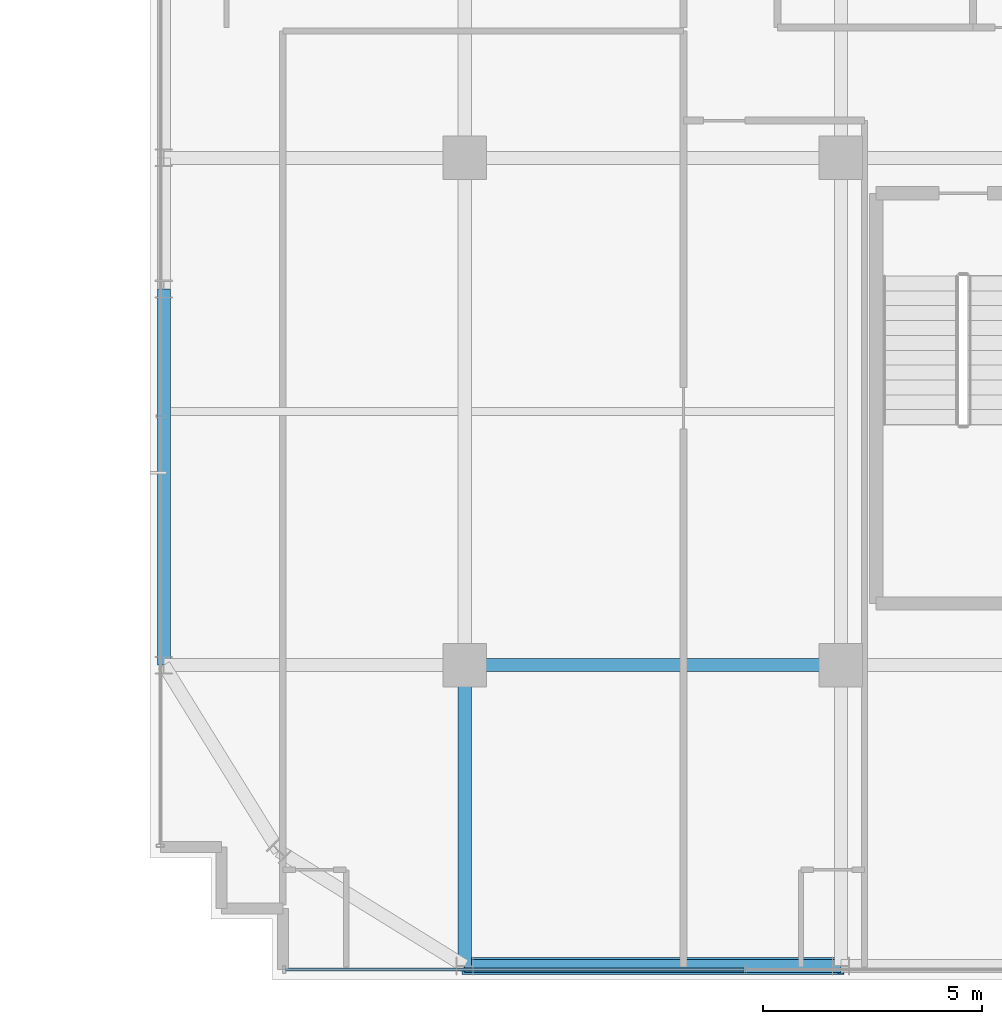
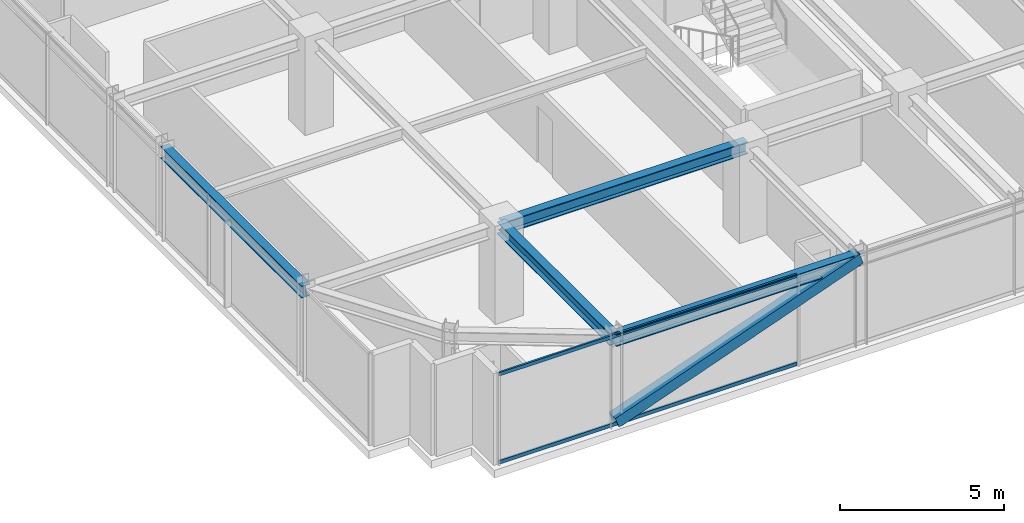
# One storey, part 5 of 36: 4 beams, 3 members, 1 element without a shape of its own.
"""IFC4 building model written with IfcOpenShell, lengths in metres."""

from ifc_helpers import new_model, si_unit, direction, frame, origin, origin_2d, place, context, subcontext, project, spatial, hollow_rectangle, i_section, extrude, source, transform, mapped, material, material_profile, profile_set, type_object, element, aggregate, save


model = new_model("IFC4")

# Units and contexts
model_context = context("Model", 3, precision=1e-05, world=origin(), true_north=direction((0.0, 1.0)))
body_context = subcontext(model_context, "Body", "Model", "MODEL_VIEW")
ifc_project = project(units=[si_unit("LENGTHUNIT", "METRE"), si_unit("AREAUNIT", "SQUARE_METRE"), si_unit("VOLUMEUNIT", "CUBIC_METRE"), si_unit("PLANEANGLEUNIT", "RADIAN"), si_unit("MASSUNIT", "GRAM", prefix="KILO")], contexts=[model_context])

# Site, building, storey
site_placement = place(None, origin())
site = spatial("IfcSite", under=ifc_project, at=site_placement, CompositionType="ELEMENT")
building_placement = place(site_placement, origin())
building = spatial("IfcBuilding", under=site, at=building_placement, Name="Nahalor Promenade Grand Hotel", CompositionType="ELEMENT")
storey_placement = place(building_placement, frame((0.0, 0.0, 241.89990234375)))
storey = spatial("IfcBuildingStorey", under=building, at=storey_placement, Name="L62", CompositionType="ELEMENT", Elevation=241.89990234375)

# Beams
ifc_material_1 = material(Name="Steel S355JR", Category="steel")
ifc_material_profile_1 = material_profile(ifc_material_1, i_section(OverallWidth=0.3, OverallDepth=0.45, WebThickness=0.014, FlangeThickness=0.026, at=origin_2d()), Name="HEB 450")
ifc_profile_set_1 = profile_set([ifc_material_profile_1], Name="Steel S355JR")
beam_type_1 = type_object("IfcBeamType", Name="Beam-Spandrel-HEB450", PredefinedType="SPANDREL", material=ifc_profile_set_1)
shared_shape_1 = source(origin(), body_context, "Body", "SweptSolid", [
    extrude(i_section(OverallWidth=0.3, OverallDepth=0.45, WebThickness=0.014, FlangeThickness=0.026, at=origin_2d()), origin(), (0.0, 0.0, 1.0), 8.60009765625),
])
for number, where, z_axis, x_axis, name in (
    (1, (-17.0, -23.8798828125, 3.18505859375), (1.0, 0.0, 0.0), (0.0, 1.0, 0.0), "BM-L62-SP-S-0"),
    (2, (-23.8798828125, -17.0, 3.18505859375), (0.0, 1.0, 0.0), (-1.0, 0.0, 0.0), "BM-L62-SP-W-0"),
):
    element("IfcBeam", number, at=place(storey_placement, frame(where, z_axis=z_axis, x_axis=x_axis)), inside=storey, type_object=beam_type_1, Name=name, PredefinedType="SPANDREL", context=body_context, shape_type="MappedRepresentation", body=[
        mapped(shared_shape_1, transform((0.0, 0.0, 0.0), scale=1.0)),
    ])
ifc_material_profile_2 = material_profile(ifc_material_1, i_section(OverallWidth=0.3, OverallDepth=0.45, WebThickness=0.014, FlangeThickness=0.026, at=origin_2d()), Name="HEB 450")
ifc_profile_set_2 = profile_set([ifc_material_profile_2], Name="Steel S355JR")
beam_type_2 = type_object("IfcBeamType", Name="Beam-Girder-HEB450", PredefinedType="BEAM", material=ifc_profile_set_2)
shared_shape_2 = source(origin(), body_context, "Body", "SweptSolid", [
    extrude(i_section(OverallWidth=0.3, OverallDepth=0.45, WebThickness=0.014, FlangeThickness=0.026, at=origin_2d()), origin(), (0.0, 0.0, 1.0), 6.8798828125),
])
beam_1_placement = place(storey_placement, frame((-17.0, -23.8798828125, 3.18505859375), z_axis=(0.0, 1.0, 0.0), x_axis=(-1.0, 0.0, 0.0)))
element("IfcBeam", 3, at=beam_1_placement, inside=storey, type_object=beam_type_2, Name="BM-L62-GY-0-0", PredefinedType="BEAM", context=body_context, shape_type="MappedRepresentation", body=[
    mapped(shared_shape_2, transform((0.0, 0.0, 0.0), scale=1.0)),
])
shared_shape_3 = source(origin(), body_context, "Body", "SweptSolid", [
    extrude(i_section(OverallWidth=0.3, OverallDepth=0.45, WebThickness=0.014, FlangeThickness=0.026, at=origin_2d()), origin(), (0.0, 0.0, 1.0), 8.60009765625),
])
beam_2_placement = place(storey_placement, frame((-17.0, -17.0, 3.18505859375), z_axis=(1.0, 0.0, 0.0), x_axis=(0.0, 1.0, 0.0)))
element("IfcBeam", 4, at=beam_2_placement, inside=storey, type_object=beam_type_2, Name="BM-L62-GX-0-1", PredefinedType="BEAM", context=body_context, shape_type="MappedRepresentation", body=[
    mapped(shared_shape_3, transform((0.0, 0.0, 0.0), scale=1.0)),
])

# Member
ifc_material_profile_3 = material_profile(ifc_material_1, hollow_rectangle(XDim=0.4, YDim=0.4, WallThickness=0.022, at=origin_2d()), Name="SHS 400x400x22")
ifc_profile_set_3 = profile_set([ifc_material_profile_3], Name="Steel S355JR")
member_type_1 = type_object("IfcMemberType", Name="Mem-ExoBrace-SHS400", PredefinedType="BRACE", material=ifc_profile_set_3)
shared_shape_4 = source(origin(), body_context, "Body", "SweptSolid", [
    extrude(hollow_rectangle(XDim=0.4, YDim=0.4, WallThickness=0.022, at=origin_2d()), origin(), (0.0, 0.0, 1.0), 9.14501953125),
])
member_1_placement = place(storey_placement, frame((-17.0, -23.8798828125, 0.150146484375), z_axis=(0.940404564616, 0.0, 0.340057722821), x_axis=(0.0, 1.0, 0.0)))
element("IfcMember", 5, at=member_1_placement, inside=storey, type_object=member_type_1, Name="EXO-L62-S-0", PredefinedType="BRACE", context=body_context, shape_type="MappedRepresentation", body=[
    mapped(shared_shape_4, transform((0.0, 0.0, 0.0), scale=1.0)),
])

# Curtain wall, members
ifc_material_2 = material(Name="Anodised Bronze Aluminium EN AW-6063 T6", Category="aluminium")
curtain_wall_type = type_object("IfcCurtainWallType", Name="CW2 Typical Hotel Flush Bronze Unitised Curtain Wall", PredefinedType="USERDEFINED", material=ifc_material_2)
curtain_wall_placement = place(storey_placement, origin())
curtain_wall = element("IfcCurtainWall", 6, at=curtain_wall_placement, inside=storey, type_object=curtain_wall_type, Name="L62 Curtain Wall CW-L62-S-1", ObjectType="UNITISED_CURTAIN_WALL", PredefinedType="USERDEFINED")
ifc_material_profile_4 = material_profile(ifc_material_2, hollow_rectangle(XDim=0.065, YDim=0.13, WallThickness=0.004, at=origin_2d()), Name="CWT 65x130x4")
ifc_profile_set_4 = profile_set([ifc_material_profile_4], Name="Anodised Bronze Aluminium EN AW-6063 T6")
member_type_2 = type_object("IfcMemberType", Name="CWT2 Typical Bronze Transom 65x130", PredefinedType="USERDEFINED", material=ifc_profile_set_4)
shared_shape_5 = source(origin(), body_context, "Body", "SweptSolid", [
    extrude(hollow_rectangle(XDim=0.065, YDim=0.13, WallThickness=0.004, at=origin_2d()), origin(), (0.0, 0.0, 1.0), 10.482421875),
])
member_2_placement = place(storey_placement, frame((-21.094970703125, -23.9599609375, 0.065185546875), z_axis=(1.0, 0.0, 0.0), x_axis=(0.0, 1.0, 0.0)))
member_2 = element("IfcMember", 7, at=member_2_placement, type_object=member_type_2, Name="CW-L62-S-1 Transom 0-0", ObjectType="TRANSOM", PredefinedType="USERDEFINED", context=body_context, shape_type="MappedRepresentation", body=[
    mapped(shared_shape_5, transform((0.0, 0.0, 0.0), scale=1.0)),
])
member_3_placement = place(storey_placement, frame((-21.094970703125, -23.9599609375, 3.34521484375), z_axis=(1.0, 0.0, 0.0), x_axis=(0.0, 1.0, 0.0)))
member_3 = element("IfcMember", 8, at=member_3_placement, type_object=member_type_2, Name="CW-L62-S-1 Transom 0-1", ObjectType="TRANSOM", PredefinedType="USERDEFINED", context=body_context, shape_type="MappedRepresentation", body=[
    mapped(shared_shape_5, transform((0.0, 0.0, 0.0), scale=1.0)),
])
aggregate(curtain_wall, [member_2, member_3])

save(model, "model.ifc")
